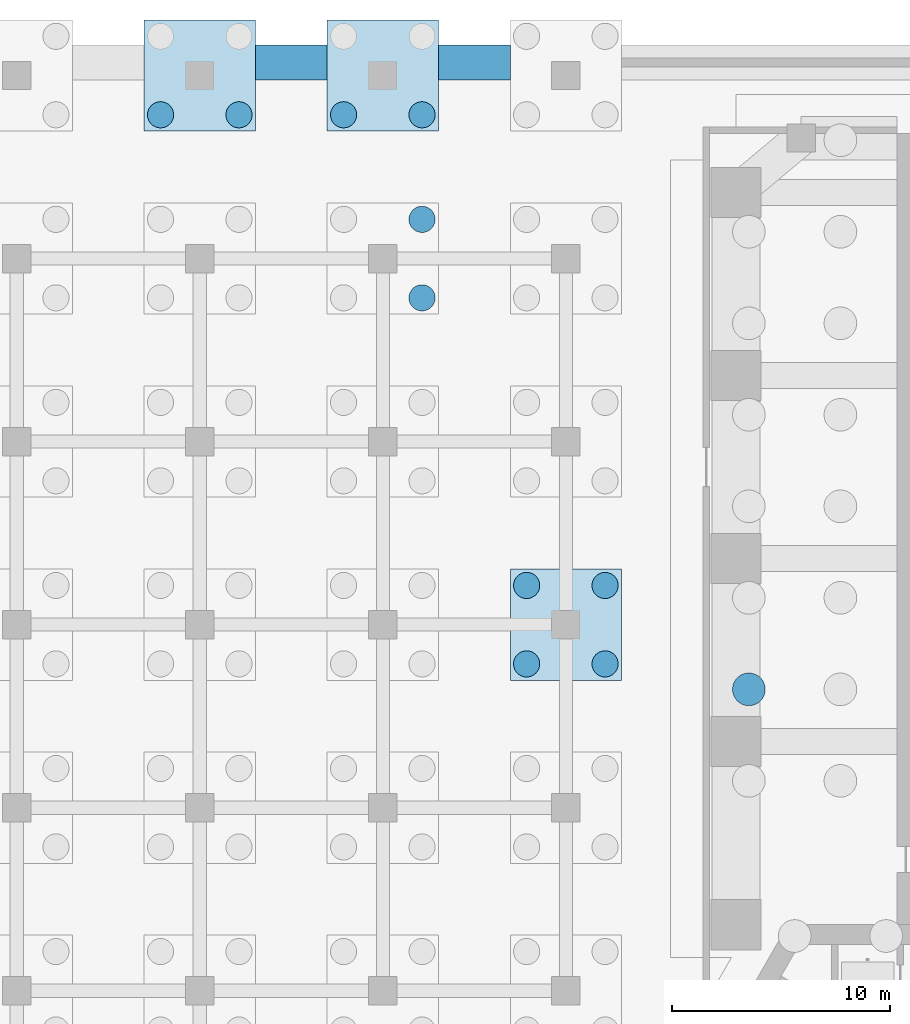
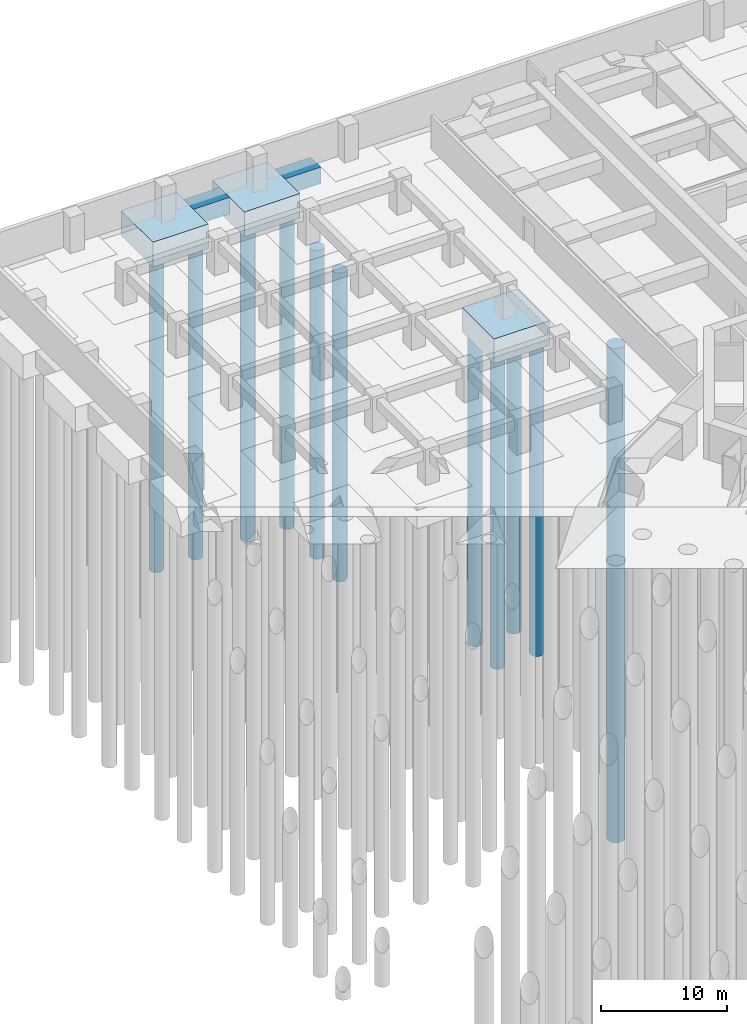
# One storey, part 36 of 73: 11 piles, 5 footings.
"""IFC4 building model written with IfcOpenShell, lengths in metres."""

from ifc_helpers import new_model, si_unit, direction, frame, origin, origin_2d, place, context, subcontext, project, spatial, polyline, circle, outline, extrude, material, material_profile, profile_set, type_object, element, save


model = new_model("IFC4")

# Units and contexts
model_context = context("Model", 3, precision=1e-05, world=origin(), true_north=direction((0.0, 1.0)))
body_context = subcontext(model_context, "Body", "Model", "MODEL_VIEW")
ifc_project = project(units=[si_unit("LENGTHUNIT", "METRE"), si_unit("AREAUNIT", "SQUARE_METRE"), si_unit("VOLUMEUNIT", "CUBIC_METRE"), si_unit("PLANEANGLEUNIT", "RADIAN"), si_unit("MASSUNIT", "GRAM", prefix="KILO")], contexts=[model_context])

# Site, building, storey
site_placement = place(None, origin())
site = spatial("IfcSite", under=ifc_project, at=site_placement, CompositionType="ELEMENT")
building_placement = place(site_placement, origin())
building = spatial("IfcBuilding", under=site, at=building_placement, Name="Impinga Residences", CompositionType="ELEMENT")
storey_placement = place(building_placement, frame((0.0, 0.0, -10.5)))
storey = spatial("IfcBuildingStorey", under=building, at=storey_placement, Name="B3", CompositionType="ELEMENT", Elevation=-10.5)

# Piles
ifc_material_1 = material(Name="Concrete C35/45", Category="concrete")
ifc_material_profile_1 = material_profile(ifc_material_1, circle(Radius=0.75, at=origin_2d()), Name="D1500")
ifc_profile_set_1 = profile_set([ifc_material_profile_1], Name="Concrete C35/45")
pile_type_1 = type_object("IfcPileType", Name="BP1 bored pile D1500", PredefinedType="BORED", material=ifc_profile_set_1)
pile_1_placement = place(storey_placement, frame((-8.39990234375, 22.2314453125, -4.0), z_axis=(0.0, 0.0, -1.0), x_axis=(1.0, 0.0, 0.0)))
element("IfcPile", 1, at=pile_1_placement, inside=storey, type_object=pile_type_1, Name="Raft pile BP1-119", PredefinedType="BORED", context=body_context, shape_type="SweptSolid", body=[
    extrude(outline(polyline([(0.75, 0.0), (0.746337890625, 0.073486328125), (0.735595703125, 0.146240234375), (0.7177734375, 0.2177734375), (0.69287109375, 0.287109375), (0.661376953125, 0.353515625), (0.62353515625, 0.416748046875), (0.579833984375, 0.475830078125), (0.5302734375, 0.5302734375), (0.475830078125, 0.579833984375), (0.416748046875, 0.62353515625), (0.353515625, 0.661376953125), (0.287109375, 0.69287109375), (0.2177734375, 0.7177734375), (0.146240234375, 0.735595703125), (0.073486328125, 0.746337890625), (0.0, 0.75), (-0.073486328125, 0.746337890625), (-0.146240234375, 0.735595703125), (-0.2177734375, 0.7177734375), (-0.287109375, 0.69287109375), (-0.353515625, 0.661376953125), (-0.416748046875, 0.62353515625), (-0.475830078125, 0.579833984375), (-0.5302734375, 0.5302734375), (-0.579833984375, 0.475830078125), (-0.62353515625, 0.416748046875), (-0.661376953125, 0.353515625), (-0.69287109375, 0.287109375), (-0.7177734375, 0.2177734375), (-0.735595703125, 0.146240234375), (-0.746337890625, 0.073486328125), (-0.75, 0.0), (-0.746337890625, -0.073486328125), (-0.735595703125, -0.146240234375), (-0.7177734375, -0.2177734375), (-0.69287109375, -0.287109375), (-0.661376953125, -0.353515625), (-0.62353515625, -0.416748046875), (-0.579833984375, -0.475830078125), (-0.5302734375, -0.5302734375), (-0.475830078125, -0.579833984375), (-0.416748046875, -0.62353515625), (-0.353515625, -0.661376953125), (-0.287109375, -0.69287109375), (-0.2177734375, -0.7177734375), (-0.146240234375, -0.735595703125), (-0.073486328125, -0.746337890625), (0.0, -0.75), (0.073486328125, -0.746337890625), (0.146240234375, -0.735595703125), (0.2177734375, -0.7177734375), (0.287109375, -0.69287109375), (0.353515625, -0.661376953125), (0.416748046875, -0.62353515625), (0.475830078125, -0.579833984375), (0.5302734375, -0.5302734375), (0.579833984375, -0.475830078125), (0.62353515625, -0.416748046875), (0.661376953125, -0.353515625), (0.69287109375, -0.287109375), (0.7177734375, -0.2177734375), (0.735595703125, -0.146240234375), (0.746337890625, -0.073486328125), (0.75, 0.0)])), origin(), (0.0, 0.0, 1.0), 48.0),
])
ifc_material_profile_2 = material_profile(ifc_material_1, circle(Radius=0.60009765625, at=origin_2d()), Name="D1200")
ifc_profile_set_2 = profile_set([ifc_material_profile_2], Name="Concrete C35/45")
pile_type_2 = type_object("IfcPileType", Name="BP2 bored pile D1200", PredefinedType="BORED", material=ifc_profile_set_2)
pile_2_placement = place(storey_placement, frame((-35.39990234375, 48.60009765625, -2.39990234375), z_axis=(0.0, 0.0, -1.0), x_axis=(1.0, 0.0, 0.0)))
element("IfcPile", 2, at=pile_2_placement, inside=storey, type_object=pile_type_2, Name="Cap pile BP2 3/M-1", PredefinedType="BORED", context=body_context, shape_type="SweptSolid", body=[
    extrude(outline(polyline([(0.60009765625, 0.0), (0.59716796875, 0.058837890625), (0.58837890625, 0.116943359375), (0.57421875, 0.174072265625), (0.554443359375, 0.2294921875), (0.529052734375, 0.282958984375), (0.498779296875, 0.333251953125), (0.4638671875, 0.380615234375), (0.42431640625, 0.42431640625), (0.380615234375, 0.4638671875), (0.333251953125, 0.498779296875), (0.282958984375, 0.529052734375), (0.2294921875, 0.554443359375), (0.174072265625, 0.57421875), (0.116943359375, 0.58837890625), (0.058837890625, 0.59716796875), (0.0, 0.60009765625), (-0.058837890625, 0.59716796875), (-0.116943359375, 0.58837890625), (-0.174072265625, 0.57421875), (-0.2294921875, 0.554443359375), (-0.282958984375, 0.529052734375), (-0.333251953125, 0.498779296875), (-0.380615234375, 0.4638671875), (-0.42431640625, 0.42431640625), (-0.4638671875, 0.380615234375), (-0.498779296875, 0.333251953125), (-0.529052734375, 0.282958984375), (-0.554443359375, 0.2294921875), (-0.57421875, 0.174072265625), (-0.58837890625, 0.116943359375), (-0.59716796875, 0.058837890625), (-0.60009765625, 0.0), (-0.59716796875, -0.058837890625), (-0.58837890625, -0.116943359375), (-0.57421875, -0.174072265625), (-0.554443359375, -0.2294921875), (-0.529052734375, -0.282958984375), (-0.498779296875, -0.333251953125), (-0.4638671875, -0.380615234375), (-0.42431640625, -0.42431640625), (-0.380615234375, -0.4638671875), (-0.333251953125, -0.498779296875), (-0.282958984375, -0.529052734375), (-0.2294921875, -0.554443359375), (-0.174072265625, -0.57421875), (-0.116943359375, -0.58837890625), (-0.058837890625, -0.59716796875), (0.0, -0.60009765625), (0.058837890625, -0.59716796875), (0.116943359375, -0.58837890625), (0.174072265625, -0.57421875), (0.2294921875, -0.554443359375), (0.282958984375, -0.529052734375), (0.333251953125, -0.498779296875), (0.380615234375, -0.4638671875), (0.42431640625, -0.42431640625), (0.4638671875, -0.380615234375), (0.498779296875, -0.333251953125), (0.529052734375, -0.282958984375), (0.554443359375, -0.2294921875), (0.57421875, -0.174072265625), (0.58837890625, -0.116943359375), (0.59716796875, -0.058837890625), (0.60009765625, 0.0)])), origin(), (0.0, 0.0, 1.0), 30.0),
])
pile_3_placement = place(storey_placement, frame((-31.800048828125, 48.60009765625, -2.39990234375), z_axis=(0.0, 0.0, -1.0), x_axis=(1.0, 0.0, 0.0)))
element("IfcPile", 3, at=pile_3_placement, inside=storey, type_object=pile_type_2, Name="Cap pile BP2 3/M-2", PredefinedType="BORED", context=body_context, shape_type="SweptSolid", body=[
    extrude(outline(polyline([(0.60009765625, 0.0), (0.59716796875, 0.058837890625), (0.58837890625, 0.116943359375), (0.57421875, 0.174072265625), (0.554443359375, 0.2294921875), (0.529052734375, 0.282958984375), (0.498779296875, 0.333251953125), (0.4638671875, 0.380615234375), (0.42431640625, 0.42431640625), (0.380615234375, 0.4638671875), (0.333251953125, 0.498779296875), (0.282958984375, 0.529052734375), (0.2294921875, 0.554443359375), (0.174072265625, 0.57421875), (0.116943359375, 0.58837890625), (0.058837890625, 0.59716796875), (0.0, 0.60009765625), (-0.058837890625, 0.59716796875), (-0.116943359375, 0.58837890625), (-0.174072265625, 0.57421875), (-0.2294921875, 0.554443359375), (-0.282958984375, 0.529052734375), (-0.333251953125, 0.498779296875), (-0.380615234375, 0.4638671875), (-0.42431640625, 0.42431640625), (-0.4638671875, 0.380615234375), (-0.498779296875, 0.333251953125), (-0.529052734375, 0.282958984375), (-0.554443359375, 0.2294921875), (-0.57421875, 0.174072265625), (-0.58837890625, 0.116943359375), (-0.59716796875, 0.058837890625), (-0.60009765625, 0.0), (-0.59716796875, -0.058837890625), (-0.58837890625, -0.116943359375), (-0.57421875, -0.174072265625), (-0.554443359375, -0.2294921875), (-0.529052734375, -0.282958984375), (-0.498779296875, -0.333251953125), (-0.4638671875, -0.380615234375), (-0.42431640625, -0.42431640625), (-0.380615234375, -0.4638671875), (-0.333251953125, -0.498779296875), (-0.282958984375, -0.529052734375), (-0.2294921875, -0.554443359375), (-0.174072265625, -0.57421875), (-0.116943359375, -0.58837890625), (-0.058837890625, -0.59716796875), (0.0, -0.60009765625), (0.058837890625, -0.59716796875), (0.116943359375, -0.58837890625), (0.174072265625, -0.57421875), (0.2294921875, -0.554443359375), (0.282958984375, -0.529052734375), (0.333251953125, -0.498779296875), (0.380615234375, -0.4638671875), (0.42431640625, -0.42431640625), (0.4638671875, -0.380615234375), (0.498779296875, -0.333251953125), (0.529052734375, -0.282958984375), (0.554443359375, -0.2294921875), (0.57421875, -0.174072265625), (0.58837890625, -0.116943359375), (0.59716796875, -0.058837890625), (0.60009765625, 0.0)])), origin(), (0.0, 0.0, 1.0), 30.0),
])
pile_4_placement = place(storey_placement, frame((-23.39990234375, 40.199951171875, -2.39990234375), z_axis=(0.0, 0.0, -1.0), x_axis=(1.0, 0.0, 0.0)))
element("IfcPile", 4, at=pile_4_placement, inside=storey, type_object=pile_type_2, Name="Cap pile BP2 4/L-2", PredefinedType="BORED", context=body_context, shape_type="SweptSolid", body=[
    extrude(outline(polyline([(0.60009765625, 0.0), (0.59716796875, 0.058837890625), (0.58837890625, 0.116943359375), (0.57421875, 0.174072265625), (0.554443359375, 0.2294921875), (0.529052734375, 0.282958984375), (0.498779296875, 0.333251953125), (0.4638671875, 0.380615234375), (0.42431640625, 0.42431640625), (0.380615234375, 0.4638671875), (0.333251953125, 0.498779296875), (0.282958984375, 0.529052734375), (0.2294921875, 0.554443359375), (0.174072265625, 0.57421875), (0.116943359375, 0.58837890625), (0.058837890625, 0.59716796875), (0.0, 0.60009765625), (-0.058837890625, 0.59716796875), (-0.116943359375, 0.58837890625), (-0.174072265625, 0.57421875), (-0.2294921875, 0.554443359375), (-0.282958984375, 0.529052734375), (-0.333251953125, 0.498779296875), (-0.380615234375, 0.4638671875), (-0.42431640625, 0.42431640625), (-0.4638671875, 0.380615234375), (-0.498779296875, 0.333251953125), (-0.529052734375, 0.282958984375), (-0.554443359375, 0.2294921875), (-0.57421875, 0.174072265625), (-0.58837890625, 0.116943359375), (-0.59716796875, 0.058837890625), (-0.60009765625, 0.0), (-0.59716796875, -0.058837890625), (-0.58837890625, -0.116943359375), (-0.57421875, -0.174072265625), (-0.554443359375, -0.2294921875), (-0.529052734375, -0.282958984375), (-0.498779296875, -0.333251953125), (-0.4638671875, -0.380615234375), (-0.42431640625, -0.42431640625), (-0.380615234375, -0.4638671875), (-0.333251953125, -0.498779296875), (-0.282958984375, -0.529052734375), (-0.2294921875, -0.554443359375), (-0.174072265625, -0.57421875), (-0.116943359375, -0.58837890625), (-0.058837890625, -0.59716796875), (0.0, -0.60009765625), (0.058837890625, -0.59716796875), (0.116943359375, -0.58837890625), (0.174072265625, -0.57421875), (0.2294921875, -0.554443359375), (0.282958984375, -0.529052734375), (0.333251953125, -0.498779296875), (0.380615234375, -0.4638671875), (0.42431640625, -0.42431640625), (0.4638671875, -0.380615234375), (0.498779296875, -0.333251953125), (0.529052734375, -0.282958984375), (0.554443359375, -0.2294921875), (0.57421875, -0.174072265625), (0.58837890625, -0.116943359375), (0.59716796875, -0.058837890625), (0.60009765625, 0.0)])), origin(), (0.0, 0.0, 1.0), 30.0),
])
pile_5_placement = place(storey_placement, frame((-23.39990234375, 43.800048828125, -2.39990234375), z_axis=(0.0, 0.0, -1.0), x_axis=(1.0, 0.0, 0.0)))
element("IfcPile", 5, at=pile_5_placement, inside=storey, type_object=pile_type_2, Name="Cap pile BP2 4/L-3", PredefinedType="BORED", context=body_context, shape_type="SweptSolid", body=[
    extrude(outline(polyline([(0.60009765625, 0.0), (0.59716796875, 0.058837890625), (0.58837890625, 0.116943359375), (0.57421875, 0.174072265625), (0.554443359375, 0.2294921875), (0.529052734375, 0.282958984375), (0.498779296875, 0.333251953125), (0.4638671875, 0.380615234375), (0.42431640625, 0.42431640625), (0.380615234375, 0.4638671875), (0.333251953125, 0.498779296875), (0.282958984375, 0.529052734375), (0.2294921875, 0.554443359375), (0.174072265625, 0.57421875), (0.116943359375, 0.58837890625), (0.058837890625, 0.59716796875), (0.0, 0.60009765625), (-0.058837890625, 0.59716796875), (-0.116943359375, 0.58837890625), (-0.174072265625, 0.57421875), (-0.2294921875, 0.554443359375), (-0.282958984375, 0.529052734375), (-0.333251953125, 0.498779296875), (-0.380615234375, 0.4638671875), (-0.42431640625, 0.42431640625), (-0.4638671875, 0.380615234375), (-0.498779296875, 0.333251953125), (-0.529052734375, 0.282958984375), (-0.554443359375, 0.2294921875), (-0.57421875, 0.174072265625), (-0.58837890625, 0.116943359375), (-0.59716796875, 0.058837890625), (-0.60009765625, 0.0), (-0.59716796875, -0.058837890625), (-0.58837890625, -0.116943359375), (-0.57421875, -0.174072265625), (-0.554443359375, -0.2294921875), (-0.529052734375, -0.282958984375), (-0.498779296875, -0.333251953125), (-0.4638671875, -0.380615234375), (-0.42431640625, -0.42431640625), (-0.380615234375, -0.4638671875), (-0.333251953125, -0.498779296875), (-0.282958984375, -0.529052734375), (-0.2294921875, -0.554443359375), (-0.174072265625, -0.57421875), (-0.116943359375, -0.58837890625), (-0.058837890625, -0.59716796875), (0.0, -0.60009765625), (0.058837890625, -0.59716796875), (0.116943359375, -0.58837890625), (0.174072265625, -0.57421875), (0.2294921875, -0.554443359375), (0.282958984375, -0.529052734375), (0.333251953125, -0.498779296875), (0.380615234375, -0.4638671875), (0.42431640625, -0.42431640625), (0.4638671875, -0.380615234375), (0.498779296875, -0.333251953125), (0.529052734375, -0.282958984375), (0.554443359375, -0.2294921875), (0.57421875, -0.174072265625), (0.58837890625, -0.116943359375), (0.59716796875, -0.058837890625), (0.60009765625, 0.0)])), origin(), (0.0, 0.0, 1.0), 30.0),
])
pile_6_placement = place(storey_placement, frame((-27.0, 48.60009765625, -2.39990234375), z_axis=(0.0, 0.0, -1.0), x_axis=(1.0, 0.0, 0.0)))
element("IfcPile", 6, at=pile_6_placement, inside=storey, type_object=pile_type_2, Name="Cap pile BP2 4/M-1", PredefinedType="BORED", context=body_context, shape_type="SweptSolid", body=[
    extrude(outline(polyline([(0.60009765625, 0.0), (0.59716796875, 0.058837890625), (0.58837890625, 0.116943359375), (0.57421875, 0.174072265625), (0.554443359375, 0.2294921875), (0.529052734375, 0.282958984375), (0.498779296875, 0.333251953125), (0.4638671875, 0.380615234375), (0.42431640625, 0.42431640625), (0.380615234375, 0.4638671875), (0.333251953125, 0.498779296875), (0.282958984375, 0.529052734375), (0.2294921875, 0.554443359375), (0.174072265625, 0.57421875), (0.116943359375, 0.58837890625), (0.058837890625, 0.59716796875), (0.0, 0.60009765625), (-0.058837890625, 0.59716796875), (-0.116943359375, 0.58837890625), (-0.174072265625, 0.57421875), (-0.2294921875, 0.554443359375), (-0.282958984375, 0.529052734375), (-0.333251953125, 0.498779296875), (-0.380615234375, 0.4638671875), (-0.42431640625, 0.42431640625), (-0.4638671875, 0.380615234375), (-0.498779296875, 0.333251953125), (-0.529052734375, 0.282958984375), (-0.554443359375, 0.2294921875), (-0.57421875, 0.174072265625), (-0.58837890625, 0.116943359375), (-0.59716796875, 0.058837890625), (-0.60009765625, 0.0), (-0.59716796875, -0.058837890625), (-0.58837890625, -0.116943359375), (-0.57421875, -0.174072265625), (-0.554443359375, -0.2294921875), (-0.529052734375, -0.282958984375), (-0.498779296875, -0.333251953125), (-0.4638671875, -0.380615234375), (-0.42431640625, -0.42431640625), (-0.380615234375, -0.4638671875), (-0.333251953125, -0.498779296875), (-0.282958984375, -0.529052734375), (-0.2294921875, -0.554443359375), (-0.174072265625, -0.57421875), (-0.116943359375, -0.58837890625), (-0.058837890625, -0.59716796875), (0.0, -0.60009765625), (0.058837890625, -0.59716796875), (0.116943359375, -0.58837890625), (0.174072265625, -0.57421875), (0.2294921875, -0.554443359375), (0.282958984375, -0.529052734375), (0.333251953125, -0.498779296875), (0.380615234375, -0.4638671875), (0.42431640625, -0.42431640625), (0.4638671875, -0.380615234375), (0.498779296875, -0.333251953125), (0.529052734375, -0.282958984375), (0.554443359375, -0.2294921875), (0.57421875, -0.174072265625), (0.58837890625, -0.116943359375), (0.59716796875, -0.058837890625), (0.60009765625, 0.0)])), origin(), (0.0, 0.0, 1.0), 30.0),
])
pile_7_placement = place(storey_placement, frame((-23.39990234375, 48.60009765625, -2.39990234375), z_axis=(0.0, 0.0, -1.0), x_axis=(1.0, 0.0, 0.0)))
element("IfcPile", 7, at=pile_7_placement, inside=storey, type_object=pile_type_2, Name="Cap pile BP2 4/M-2", PredefinedType="BORED", context=body_context, shape_type="SweptSolid", body=[
    extrude(outline(polyline([(0.60009765625, 0.0), (0.59716796875, 0.058837890625), (0.58837890625, 0.116943359375), (0.57421875, 0.174072265625), (0.554443359375, 0.2294921875), (0.529052734375, 0.282958984375), (0.498779296875, 0.333251953125), (0.4638671875, 0.380615234375), (0.42431640625, 0.42431640625), (0.380615234375, 0.4638671875), (0.333251953125, 0.498779296875), (0.282958984375, 0.529052734375), (0.2294921875, 0.554443359375), (0.174072265625, 0.57421875), (0.116943359375, 0.58837890625), (0.058837890625, 0.59716796875), (0.0, 0.60009765625), (-0.058837890625, 0.59716796875), (-0.116943359375, 0.58837890625), (-0.174072265625, 0.57421875), (-0.2294921875, 0.554443359375), (-0.282958984375, 0.529052734375), (-0.333251953125, 0.498779296875), (-0.380615234375, 0.4638671875), (-0.42431640625, 0.42431640625), (-0.4638671875, 0.380615234375), (-0.498779296875, 0.333251953125), (-0.529052734375, 0.282958984375), (-0.554443359375, 0.2294921875), (-0.57421875, 0.174072265625), (-0.58837890625, 0.116943359375), (-0.59716796875, 0.058837890625), (-0.60009765625, 0.0), (-0.59716796875, -0.058837890625), (-0.58837890625, -0.116943359375), (-0.57421875, -0.174072265625), (-0.554443359375, -0.2294921875), (-0.529052734375, -0.282958984375), (-0.498779296875, -0.333251953125), (-0.4638671875, -0.380615234375), (-0.42431640625, -0.42431640625), (-0.380615234375, -0.4638671875), (-0.333251953125, -0.498779296875), (-0.282958984375, -0.529052734375), (-0.2294921875, -0.554443359375), (-0.174072265625, -0.57421875), (-0.116943359375, -0.58837890625), (-0.058837890625, -0.59716796875), (0.0, -0.60009765625), (0.058837890625, -0.59716796875), (0.116943359375, -0.58837890625), (0.174072265625, -0.57421875), (0.2294921875, -0.554443359375), (0.282958984375, -0.529052734375), (0.333251953125, -0.498779296875), (0.380615234375, -0.4638671875), (0.42431640625, -0.42431640625), (0.4638671875, -0.380615234375), (0.498779296875, -0.333251953125), (0.529052734375, -0.282958984375), (0.554443359375, -0.2294921875), (0.57421875, -0.174072265625), (0.58837890625, -0.116943359375), (0.59716796875, -0.058837890625), (0.60009765625, 0.0)])), origin(), (0.0, 0.0, 1.0), 30.0),
])
pile_8_placement = place(storey_placement, frame((-18.60009765625, 23.39990234375, -2.39990234375), z_axis=(0.0, 0.0, -1.0), x_axis=(1.0, 0.0, 0.0)))
element("IfcPile", 8, at=pile_8_placement, inside=storey, type_object=pile_type_2, Name="Cap pile BP2 5/J-1", PredefinedType="BORED", context=body_context, shape_type="SweptSolid", body=[
    extrude(outline(polyline([(0.60009765625, 0.0), (0.59716796875, 0.058837890625), (0.58837890625, 0.116943359375), (0.57421875, 0.174072265625), (0.554443359375, 0.2294921875), (0.529052734375, 0.282958984375), (0.498779296875, 0.333251953125), (0.4638671875, 0.380615234375), (0.42431640625, 0.42431640625), (0.380615234375, 0.4638671875), (0.333251953125, 0.498779296875), (0.282958984375, 0.529052734375), (0.2294921875, 0.554443359375), (0.174072265625, 0.57421875), (0.116943359375, 0.58837890625), (0.058837890625, 0.59716796875), (0.0, 0.60009765625), (-0.058837890625, 0.59716796875), (-0.116943359375, 0.58837890625), (-0.174072265625, 0.57421875), (-0.2294921875, 0.554443359375), (-0.282958984375, 0.529052734375), (-0.333251953125, 0.498779296875), (-0.380615234375, 0.4638671875), (-0.42431640625, 0.42431640625), (-0.4638671875, 0.380615234375), (-0.498779296875, 0.333251953125), (-0.529052734375, 0.282958984375), (-0.554443359375, 0.2294921875), (-0.57421875, 0.174072265625), (-0.58837890625, 0.116943359375), (-0.59716796875, 0.058837890625), (-0.60009765625, 0.0), (-0.59716796875, -0.058837890625), (-0.58837890625, -0.116943359375), (-0.57421875, -0.174072265625), (-0.554443359375, -0.2294921875), (-0.529052734375, -0.282958984375), (-0.498779296875, -0.333251953125), (-0.4638671875, -0.380615234375), (-0.42431640625, -0.42431640625), (-0.380615234375, -0.4638671875), (-0.333251953125, -0.498779296875), (-0.282958984375, -0.529052734375), (-0.2294921875, -0.554443359375), (-0.174072265625, -0.57421875), (-0.116943359375, -0.58837890625), (-0.058837890625, -0.59716796875), (0.0, -0.60009765625), (0.058837890625, -0.59716796875), (0.116943359375, -0.58837890625), (0.174072265625, -0.57421875), (0.2294921875, -0.554443359375), (0.282958984375, -0.529052734375), (0.333251953125, -0.498779296875), (0.380615234375, -0.4638671875), (0.42431640625, -0.42431640625), (0.4638671875, -0.380615234375), (0.498779296875, -0.333251953125), (0.529052734375, -0.282958984375), (0.554443359375, -0.2294921875), (0.57421875, -0.174072265625), (0.58837890625, -0.116943359375), (0.59716796875, -0.058837890625), (0.60009765625, 0.0)])), origin(), (0.0, 0.0, 1.0), 30.0),
])
pile_9_placement = place(storey_placement, frame((-15.0, 23.39990234375, -2.39990234375), z_axis=(0.0, 0.0, -1.0), x_axis=(1.0, 0.0, 0.0)))
element("IfcPile", 9, at=pile_9_placement, inside=storey, type_object=pile_type_2, Name="Cap pile BP2 5/J-2", PredefinedType="BORED", context=body_context, shape_type="SweptSolid", body=[
    extrude(outline(polyline([(0.60009765625, 0.0), (0.59716796875, 0.058837890625), (0.58837890625, 0.116943359375), (0.57421875, 0.174072265625), (0.554443359375, 0.2294921875), (0.529052734375, 0.282958984375), (0.498779296875, 0.333251953125), (0.4638671875, 0.380615234375), (0.42431640625, 0.42431640625), (0.380615234375, 0.4638671875), (0.333251953125, 0.498779296875), (0.282958984375, 0.529052734375), (0.2294921875, 0.554443359375), (0.174072265625, 0.57421875), (0.116943359375, 0.58837890625), (0.058837890625, 0.59716796875), (0.0, 0.60009765625), (-0.058837890625, 0.59716796875), (-0.116943359375, 0.58837890625), (-0.174072265625, 0.57421875), (-0.2294921875, 0.554443359375), (-0.282958984375, 0.529052734375), (-0.333251953125, 0.498779296875), (-0.380615234375, 0.4638671875), (-0.42431640625, 0.42431640625), (-0.4638671875, 0.380615234375), (-0.498779296875, 0.333251953125), (-0.529052734375, 0.282958984375), (-0.554443359375, 0.2294921875), (-0.57421875, 0.174072265625), (-0.58837890625, 0.116943359375), (-0.59716796875, 0.058837890625), (-0.60009765625, 0.0), (-0.59716796875, -0.058837890625), (-0.58837890625, -0.116943359375), (-0.57421875, -0.174072265625), (-0.554443359375, -0.2294921875), (-0.529052734375, -0.282958984375), (-0.498779296875, -0.333251953125), (-0.4638671875, -0.380615234375), (-0.42431640625, -0.42431640625), (-0.380615234375, -0.4638671875), (-0.333251953125, -0.498779296875), (-0.282958984375, -0.529052734375), (-0.2294921875, -0.554443359375), (-0.174072265625, -0.57421875), (-0.116943359375, -0.58837890625), (-0.058837890625, -0.59716796875), (0.0, -0.60009765625), (0.058837890625, -0.59716796875), (0.116943359375, -0.58837890625), (0.174072265625, -0.57421875), (0.2294921875, -0.554443359375), (0.282958984375, -0.529052734375), (0.333251953125, -0.498779296875), (0.380615234375, -0.4638671875), (0.42431640625, -0.42431640625), (0.4638671875, -0.380615234375), (0.498779296875, -0.333251953125), (0.529052734375, -0.282958984375), (0.554443359375, -0.2294921875), (0.57421875, -0.174072265625), (0.58837890625, -0.116943359375), (0.59716796875, -0.058837890625), (0.60009765625, 0.0)])), origin(), (0.0, 0.0, 1.0), 30.0),
])
pile_10_placement = place(storey_placement, frame((-15.0, 27.0, -2.39990234375), z_axis=(0.0, 0.0, -1.0), x_axis=(1.0, 0.0, 0.0)))
element("IfcPile", 10, at=pile_10_placement, inside=storey, type_object=pile_type_2, Name="Cap pile BP2 5/J-3", PredefinedType="BORED", context=body_context, shape_type="SweptSolid", body=[
    extrude(outline(polyline([(0.60009765625, 0.0), (0.59716796875, 0.058837890625), (0.58837890625, 0.116943359375), (0.57421875, 0.174072265625), (0.554443359375, 0.2294921875), (0.529052734375, 0.282958984375), (0.498779296875, 0.333251953125), (0.4638671875, 0.380615234375), (0.42431640625, 0.42431640625), (0.380615234375, 0.4638671875), (0.333251953125, 0.498779296875), (0.282958984375, 0.529052734375), (0.2294921875, 0.554443359375), (0.174072265625, 0.57421875), (0.116943359375, 0.58837890625), (0.058837890625, 0.59716796875), (0.0, 0.60009765625), (-0.058837890625, 0.59716796875), (-0.116943359375, 0.58837890625), (-0.174072265625, 0.57421875), (-0.2294921875, 0.554443359375), (-0.282958984375, 0.529052734375), (-0.333251953125, 0.498779296875), (-0.380615234375, 0.4638671875), (-0.42431640625, 0.42431640625), (-0.4638671875, 0.380615234375), (-0.498779296875, 0.333251953125), (-0.529052734375, 0.282958984375), (-0.554443359375, 0.2294921875), (-0.57421875, 0.174072265625), (-0.58837890625, 0.116943359375), (-0.59716796875, 0.058837890625), (-0.60009765625, 0.0), (-0.59716796875, -0.058837890625), (-0.58837890625, -0.116943359375), (-0.57421875, -0.174072265625), (-0.554443359375, -0.2294921875), (-0.529052734375, -0.282958984375), (-0.498779296875, -0.333251953125), (-0.4638671875, -0.380615234375), (-0.42431640625, -0.42431640625), (-0.380615234375, -0.4638671875), (-0.333251953125, -0.498779296875), (-0.282958984375, -0.529052734375), (-0.2294921875, -0.554443359375), (-0.174072265625, -0.57421875), (-0.116943359375, -0.58837890625), (-0.058837890625, -0.59716796875), (0.0, -0.60009765625), (0.058837890625, -0.59716796875), (0.116943359375, -0.58837890625), (0.174072265625, -0.57421875), (0.2294921875, -0.554443359375), (0.282958984375, -0.529052734375), (0.333251953125, -0.498779296875), (0.380615234375, -0.4638671875), (0.42431640625, -0.42431640625), (0.4638671875, -0.380615234375), (0.498779296875, -0.333251953125), (0.529052734375, -0.282958984375), (0.554443359375, -0.2294921875), (0.57421875, -0.174072265625), (0.58837890625, -0.116943359375), (0.59716796875, -0.058837890625), (0.60009765625, 0.0)])), origin(), (0.0, 0.0, 1.0), 30.0),
])
pile_11_placement = place(storey_placement, frame((-18.60009765625, 27.0, -2.39990234375), z_axis=(0.0, 0.0, -1.0), x_axis=(1.0, 0.0, 0.0)))
element("IfcPile", 11, at=pile_11_placement, inside=storey, type_object=pile_type_2, Name="Cap pile BP2 5/J-4", PredefinedType="BORED", context=body_context, shape_type="SweptSolid", body=[
    extrude(outline(polyline([(0.60009765625, 0.0), (0.59716796875, 0.058837890625), (0.58837890625, 0.116943359375), (0.57421875, 0.174072265625), (0.554443359375, 0.2294921875), (0.529052734375, 0.282958984375), (0.498779296875, 0.333251953125), (0.4638671875, 0.380615234375), (0.42431640625, 0.42431640625), (0.380615234375, 0.4638671875), (0.333251953125, 0.498779296875), (0.282958984375, 0.529052734375), (0.2294921875, 0.554443359375), (0.174072265625, 0.57421875), (0.116943359375, 0.58837890625), (0.058837890625, 0.59716796875), (0.0, 0.60009765625), (-0.058837890625, 0.59716796875), (-0.116943359375, 0.58837890625), (-0.174072265625, 0.57421875), (-0.2294921875, 0.554443359375), (-0.282958984375, 0.529052734375), (-0.333251953125, 0.498779296875), (-0.380615234375, 0.4638671875), (-0.42431640625, 0.42431640625), (-0.4638671875, 0.380615234375), (-0.498779296875, 0.333251953125), (-0.529052734375, 0.282958984375), (-0.554443359375, 0.2294921875), (-0.57421875, 0.174072265625), (-0.58837890625, 0.116943359375), (-0.59716796875, 0.058837890625), (-0.60009765625, 0.0), (-0.59716796875, -0.058837890625), (-0.58837890625, -0.116943359375), (-0.57421875, -0.174072265625), (-0.554443359375, -0.2294921875), (-0.529052734375, -0.282958984375), (-0.498779296875, -0.333251953125), (-0.4638671875, -0.380615234375), (-0.42431640625, -0.42431640625), (-0.380615234375, -0.4638671875), (-0.333251953125, -0.498779296875), (-0.282958984375, -0.529052734375), (-0.2294921875, -0.554443359375), (-0.174072265625, -0.57421875), (-0.116943359375, -0.58837890625), (-0.058837890625, -0.59716796875), (0.0, -0.60009765625), (0.058837890625, -0.59716796875), (0.116943359375, -0.58837890625), (0.174072265625, -0.57421875), (0.2294921875, -0.554443359375), (0.282958984375, -0.529052734375), (0.333251953125, -0.498779296875), (0.380615234375, -0.4638671875), (0.42431640625, -0.42431640625), (0.4638671875, -0.380615234375), (0.498779296875, -0.333251953125), (0.529052734375, -0.282958984375), (0.554443359375, -0.2294921875), (0.57421875, -0.174072265625), (0.58837890625, -0.116943359375), (0.59716796875, -0.058837890625), (0.60009765625, 0.0)])), origin(), (0.0, 0.0, 1.0), 30.0),
])

# Footings
ifc_material_2 = material(Name="Concrete C45/55", Category="concrete")
footing_type_1 = type_object("IfcFootingType", Name="PC4 four-pile cap 5100 square 2400 deep", PredefinedType="PILE_CAP", material=ifc_material_2)
footing_1_placement = place(storey_placement, frame((0.0, 0.0, -2.39990234375)))
element("IfcFooting", 12, at=footing_1_placement, inside=storey, type_object=footing_type_1, Name="Pile cap PC4 3/M", PredefinedType="PILE_CAP", context=body_context, shape_type="SweptSolid", body=[
    extrude(outline(polyline([(-31.050048828125, 47.85009765625), (-31.050048828125, 52.949951171875), (-36.14990234375, 52.949951171875), (-36.14990234375, 47.85009765625), (-31.050048828125, 47.85009765625)])), origin(), (0.0, 0.0, 1.0), 2.39990234375),
])
footing_2_placement = place(storey_placement, frame((0.0, 0.0, -2.39990234375)))
element("IfcFooting", 13, at=footing_2_placement, inside=storey, type_object=footing_type_1, Name="Pile cap PC4 4/M", PredefinedType="PILE_CAP", context=body_context, shape_type="SweptSolid", body=[
    extrude(outline(polyline([(-22.64990234375, 47.85009765625), (-22.64990234375, 52.949951171875), (-27.75, 52.949951171875), (-27.75, 47.85009765625), (-22.64990234375, 47.85009765625)])), origin(), (0.0, 0.0, 1.0), 2.39990234375),
])
footing_3_placement = place(storey_placement, frame((0.0, 0.0, -2.39990234375)))
element("IfcFooting", 14, at=footing_3_placement, inside=storey, type_object=footing_type_1, Name="Pile cap PC4 5/J", PredefinedType="PILE_CAP", context=body_context, shape_type="SweptSolid", body=[
    extrude(outline(polyline([(-14.25, 22.64990234375), (-14.25, 27.75), (-19.35009765625, 27.75), (-19.35009765625, 22.64990234375), (-14.25, 22.64990234375)])), origin(), (0.0, 0.0, 1.0), 2.39990234375),
])
footing_type_2 = type_object("IfcFootingType", Name="SF1 strip footing 1600 wide 1600 deep", PredefinedType="STRIP_FOOTING", material=ifc_material_2)
footing_4_placement = place(storey_placement, frame((0.0, 0.0, -1.60009765625)))
element("IfcFooting", 15, at=footing_4_placement, inside=storey, type_object=footing_type_2, Name="Strip footing SF1 N 6", PredefinedType="STRIP_FOOTING", context=body_context, shape_type="SweptSolid", body=[
    extrude(outline(polyline([(-22.64990234375, 50.199951171875), (-22.64990234375, 51.800048828125), (-19.35009765625, 51.800048828125), (-19.35009765625, 50.199951171875), (-22.64990234375, 50.199951171875)])), origin(), (0.0, 0.0, 1.0), 1.60009765625),
])
footing_5_placement = place(storey_placement, frame((0.0, 0.0, -1.60009765625)))
element("IfcFooting", 16, at=footing_5_placement, inside=storey, type_object=footing_type_2, Name="Strip footing SF1 N 7", PredefinedType="STRIP_FOOTING", context=body_context, shape_type="SweptSolid", body=[
    extrude(outline(polyline([(-31.050048828125, 50.199951171875), (-31.050048828125, 51.800048828125), (-27.75, 51.800048828125), (-27.75, 50.199951171875), (-31.050048828125, 50.199951171875)])), origin(), (0.0, 0.0, 1.0), 1.60009765625),
])

save(model, "model.ifc")
